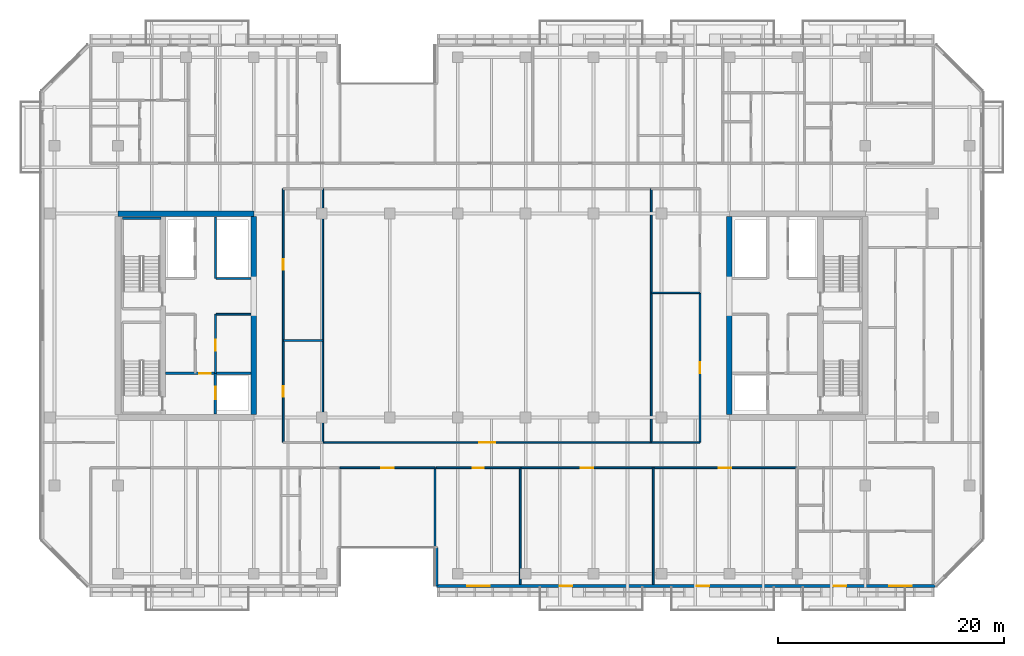
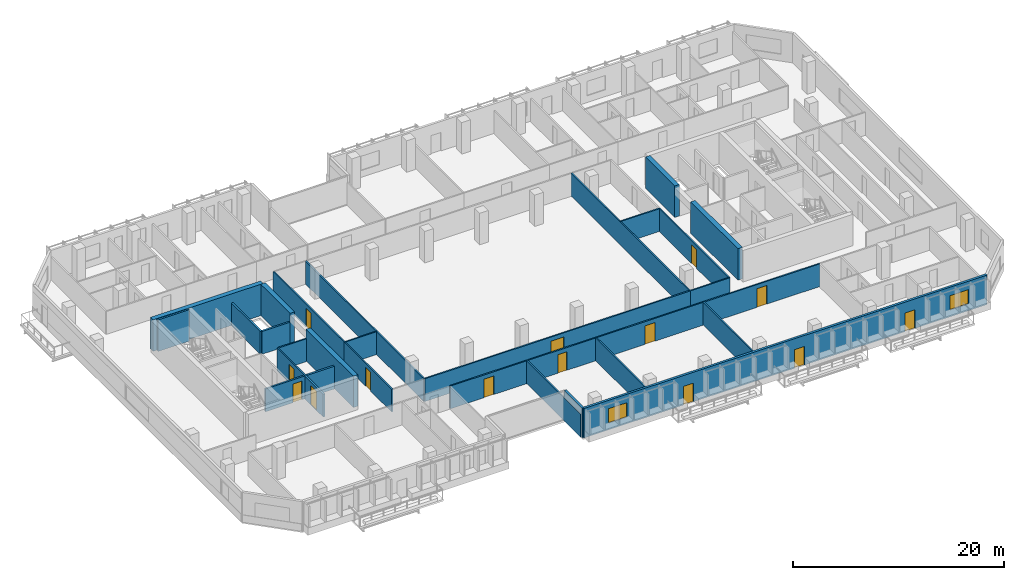
# One storey, part 11 of 22: 30 walls, 14 doors, 2 windows, 16 openings.
"""IFC4 building model written with IfcOpenShell, lengths in metres."""

import ifcopenshell
import ifcopenshell.guid

model = None  # the IFC model being written
_history = None  # IfcOwnerHistory: only IFC2X3 demands one
_inside = {}  # id of a spatial element -> (the spatial element, [elements in it])
_under = {}  # id of a project, library or spatial element -> (it, [spatial elements below it])
_declared = {}  # id of a project -> (the project, [libraries it declares])
_typed = {}  # id of a type object -> (the type object, [elements of that type])
_made_of = {}  # id of a material, layer set ... -> (it, [elements and type objects made of it])


def new_model(schema):
    """Start an empty IFC model of exactly this schema.

    Asked for "IFC4X3", IfcOpenShell would pick the latest addendum, in which some entities
    have other attributes; the version numbers below select the first issue.
    IFC2X3 requires an IfcOwnerHistory on every rooted entity: one is made here for all.
    """
    global model, _history
    if schema == "IFC4X3":
        model = ifcopenshell.file(schema_version=(4, 3, 0, 0))
    else:
        model = ifcopenshell.file(schema=schema)
    _inside.clear()
    _under.clear()
    _declared.clear()
    _typed.clear()
    _made_of.clear()
    _history = None
    if model.schema == "IFC2X3":
        org = make("IfcOrganization", Name="unknown")
        user = make(
            "IfcPersonAndOrganization",
            ThePerson=make("IfcPerson", FamilyName="unknown"),
            TheOrganization=org,
        )
        app = make(
            "IfcApplication",
            ApplicationDeveloper=org,
            Version="unknown",
            ApplicationFullName="unknown",
            ApplicationIdentifier="unknown",
        )
        _history = make(
            "IfcOwnerHistory",
            OwningUser=user,
            OwningApplication=app,
            ChangeAction="ADDED",
            CreationDate=0,
        )
    return model


def make(cls, **values):
    """One entity of the class cls with the attributes given. An attribute that is None is left unset."""
    return model.create_entity(
        cls, **{name: value for name, value in values.items() if value is not None}
    )


def rooted(cls, **values):
    """An entity with a GlobalId (a new one), such as an element, a storey or a relation."""
    return make(cls, GlobalId=ifcopenshell.guid.new(), OwnerHistory=_history, **values)


def si_unit(unit_type, name, prefix=None):
    """IfcSIUnit, for example si_unit("LENGTHUNIT", "METRE", prefix="MILLI")."""
    return make("IfcSIUnit", UnitType=unit_type, Prefix=prefix, Name=name)


def assignment(units):
    """IfcUnitAssignment: the units of a project."""
    return None if units is None else make("IfcUnitAssignment", Units=units)


def point(xyz):
    """IfcCartesianPoint."""
    return None if xyz is None else make("IfcCartesianPoint", Coordinates=xyz)


def direction(xyz):
    """IfcDirection."""
    return None if xyz is None else make("IfcDirection", DirectionRatios=xyz)


def frame(location, z_axis=None, x_axis=None):
    """IfcAxis2Placement3D, a coordinate frame: its origin and axes. An axis left out is left unset."""
    return make(
        "IfcAxis2Placement3D",
        Location=point(location),
        Axis=direction(z_axis),
        RefDirection=direction(x_axis),
    )


def frame_2d(location, x_axis=None):
    """IfcAxis2Placement2D, a coordinate frame in the plane: its origin and x axis."""
    return make(
        "IfcAxis2Placement2D", Location=point(location), RefDirection=direction(x_axis)
    )


def origin():
    """The frame at (0, 0, 0) with its axes left unset."""
    return frame((0.0, 0.0, 0.0))


def place(relative_to, where):
    """IfcLocalPlacement: puts the frame where relative to a parent placement (None: the world)."""
    return make(
        "IfcLocalPlacement", PlacementRelTo=relative_to, RelativePlacement=where
    )


def context(
    kind, dimensions, precision=None, world=None, true_north=None, identifier=None
):
    """IfcGeometricRepresentationContext, for example the 3D "Model" context."""
    return make(
        "IfcGeometricRepresentationContext",
        ContextIdentifier=identifier,
        ContextType=kind,
        CoordinateSpaceDimension=dimensions,
        Precision=precision,
        WorldCoordinateSystem=world,
        TrueNorth=true_north,
    )


def subcontext(parent, identifier, kind, view, scale=None):
    """IfcGeometricRepresentationSubContext, for example "Body" below "Model"."""
    return make(
        "IfcGeometricRepresentationSubContext",
        ContextIdentifier=identifier,
        ContextType=kind,
        ParentContext=parent,
        TargetScale=scale,
        TargetView=view,
    )


def project(units=None, contexts=None):
    """IfcProject with its units and contexts."""
    return rooted(
        "IfcProject",
        Name="project",
        RepresentationContexts=contexts,
        UnitsInContext=assignment(units),
    )


def spatial(cls, under=None, at=None, **own):
    """A site, building, storey or space (cls), placed at a placement, below another one or the project."""
    s = rooted(cls, ObjectPlacement=at, **own)
    if under is not None:
        _under.setdefault(under.id(), (under, []))[1].append(s)
    return s


def profile(cls, at=None, kind="AREA", **sizes):
    """A parametric profile (cls). Its sizes go by their IFC names, for example OverallWidth=200.0."""
    return make(cls, ProfileType=kind, Position=at, **sizes)


def rectangle(**sizes):
    """IfcRectangleProfileDef."""
    return profile("IfcRectangleProfileDef", **sizes)


def extrude(swept, where, along, depth):
    """IfcExtrudedAreaSolid: the profile swept, set in the frame where, extruded along a direction by depth."""
    return make(
        "IfcExtrudedAreaSolid",
        SweptArea=swept,
        Position=where,
        ExtrudedDirection=direction(along),
        Depth=depth,
    )


def shape(context_of_items, identifier, shape_type, items):
    """IfcShapeRepresentation: the items that make up one representation, for example the "Body"."""
    return make(
        "IfcShapeRepresentation",
        ContextOfItems=context_of_items,
        RepresentationIdentifier=identifier,
        RepresentationType=shape_type,
        Items=items,
    )


def material(Name=None, Category=None):
    """IfcMaterial."""
    return make("IfcMaterial", Name=Name, Category=Category)


def layer(
    of_material, thickness, ventilated=None, Name=None, Category=None, Priority=None
):
    """IfcMaterialLayer: one layer of a wall or slab, of a material (None: an air gap)."""
    return make(
        "IfcMaterialLayer",
        Material=of_material,
        LayerThickness=thickness,
        IsVentilated=ventilated,
        Name=Name,
        Category=Category,
        Priority=Priority,
    )


def layer_set(layers, Name=None):
    """IfcMaterialLayerSet."""
    return make("IfcMaterialLayerSet", MaterialLayers=layers, LayerSetName=Name)


def made_of(thing, what):
    """Note that an element or type object is made of a material, layer set ...; save() writes the relation."""
    if what is not None:
        _made_of.setdefault(what.id(), (what, []))[1].append(thing)
    return thing


def type_object(cls, material=None, **own):
    """A type object (cls), such as IfcWallType, which elements share."""
    return made_of(rooted(cls, **own), material)


def element(
    cls,
    number,
    at=None,
    inside=None,
    cuts=None,
    type_object=None,
    material=None,
    context=None,
    identifier="Body",
    shape_type=None,
    held_by="IfcProductDefinitionShape",
    body=None,
    shapes=None,
    **own,
):
    """One element of the class cls, such as IfcWall. Its Tag is "e" and its number.

    at: its placement. inside: the storey or other place that contains it. cuts: it is an
    opening in that element (IfcRelVoidsElement). A single representation is given by context,
    identifier, shape_type and body (its items); several are given by shapes. held_by: the class
    of the entity that holds the representations. save() writes the other relations.
    """
    e = rooted(cls, Tag="e%d" % number, ObjectPlacement=at, **own)
    if body is not None:
        shapes = [shape(context, identifier, shape_type, body)]
    if shapes is not None:
        e.Representation = make(held_by, Representations=shapes)
    if inside is not None:
        _inside.setdefault(inside.id(), (inside, []))[1].append(e)
    if cuts is not None:
        rooted(
            "IfcRelVoidsElement", RelatingBuildingElement=cuts, RelatedOpeningElement=e
        )
    if type_object is not None:
        _typed.setdefault(type_object.id(), (type_object, []))[1].append(e)
    return made_of(e, material)


def fill(opening, filler):
    """IfcRelFillsElement: the door or window that sits in an opening."""
    return rooted(
        "IfcRelFillsElement",
        RelatingOpeningElement=opening,
        RelatedBuildingElement=filler,
    )


def aggregate(whole, parts):
    """IfcRelAggregates: a whole, such as a stair, and the parts it consists of."""
    return rooted("IfcRelAggregates", RelatingObject=whole, RelatedObjects=parts)


def save(model, path):
    """Write the relations noted so far, then the file.

    IfcRelAggregates (storeys below a building ...), IfcRelContainedInSpatialStructure (elements
    in a storey), IfcRelDefinesByType, IfcRelAssociatesMaterial and IfcRelDeclares: one each for
    every whole, place, type object, material and project.
    """
    for whole, parts in _under.values():
        aggregate(whole, parts)
    for where, things in _inside.values():
        rooted(
            "IfcRelContainedInSpatialStructure",
            RelatedElements=things,
            RelatingStructure=where,
        )
    for kind, things in _typed.values():
        rooted("IfcRelDefinesByType", RelatedObjects=things, RelatingType=kind)
    for what, things in _made_of.values():
        rooted("IfcRelAssociatesMaterial", RelatedObjects=things, RelatingMaterial=what)
    for by, libraries in _declared.values():
        rooted("IfcRelDeclares", RelatingContext=by, RelatedDefinitions=libraries)
    model.write(path)


model = new_model("IFC4")

# Units and contexts
model_context = context("Model", 3, precision=1e-05, world=origin(), true_north=direction((0.0, 1.0)))
body_context = subcontext(model_context, "Body", "Model", "MODEL_VIEW")
ifc_project = project(units=[si_unit("LENGTHUNIT", "METRE"), si_unit("AREAUNIT", "SQUARE_METRE"), si_unit("VOLUMEUNIT", "CUBIC_METRE"), si_unit("PLANEANGLEUNIT", "RADIAN"), si_unit("MASSUNIT", "GRAM", prefix="KILO")], contexts=[model_context])

# Site, building, storey
site_placement = place(None, origin())
site = spatial("IfcSite", under=ifc_project, at=site_placement, CompositionType="ELEMENT")
building_placement = place(site_placement, origin())
building = spatial("IfcBuilding", under=site, at=building_placement, Name="Tanjung Sevakor Pilgrim Tower", CompositionType="ELEMENT")
storey_placement = place(building_placement, frame((0.0, 0.0, 115.830078125)))
storey = spatial("IfcBuildingStorey", under=building, at=storey_placement, Name="L32", CompositionType="ELEMENT", Elevation=115.830078125)

# Walls
ifc_material_1 = material(Name="Concrete C60/75", Category="concrete")
ifc_layer_1 = layer(ifc_material_1, 0.5)
ifc_layer_set_1 = layer_set([ifc_layer_1], Name="WALL-CW-500")
wall_type_1 = type_object("IfcWallType", Name="WALL-CW-500", PredefinedType="SHEAR", material=ifc_layer_set_1)
wall_1_placement = place(storey_placement, frame((36.0, 42.60009765625, 0.0), z_axis=(0.0, 0.0, 1.0), x_axis=(-1.0, 0.0, 0.0)))
element("IfcWall", 1, at=wall_1_placement, inside=storey, type_object=wall_type_1, Name="L32 W Core North Shear Wall", PredefinedType="SHEAR", context=body_context, shape_type="SweptSolid", body=[
    extrude(rectangle(XDim=12.0, YDim=0.5, at=frame_2d((6.0, 0.0))), origin(), (0.0, 0.0, 1.0), 3.6298828125),
])
wall_2_placement = place(storey_placement, frame((36.0, 24.85009765625, 0.0), z_axis=(0.0, 0.0, 1.0), x_axis=(0.0, 1.0, 0.0)))
element("IfcWall", 2, at=wall_2_placement, inside=storey, type_object=wall_type_1, Name="L32 W Core Inner Shear Wall South", PredefinedType="SHEAR", context=body_context, shape_type="SweptSolid", body=[
    extrude(rectangle(XDim=8.949951171875, YDim=0.5, at=frame_2d((4.47509765625, 0.0))), origin(), (0.0, 0.0, 1.0), 3.6298828125),
])
wall_3_placement = place(storey_placement, frame((36.0, 36.800048828125, 0.0), z_axis=(0.0, 0.0, 1.0), x_axis=(0.0, 1.0, 0.0)))
element("IfcWall", 3, at=wall_3_placement, inside=storey, type_object=wall_type_1, Name="L32 W Core Inner Shear Wall North", PredefinedType="SHEAR", context=body_context, shape_type="SweptSolid", body=[
    extrude(rectangle(XDim=5.550048828125, YDim=0.5, at=frame_2d((2.77490234375, 0.0))), origin(), (0.0, 0.0, 1.0), 3.6298828125),
])
wall_4_placement = place(storey_placement, frame((78.0, 24.85009765625, 0.0), z_axis=(0.0, 0.0, 1.0), x_axis=(0.0, 1.0, 0.0)))
element("IfcWall", 4, at=wall_4_placement, inside=storey, type_object=wall_type_1, Name="L32 E Core Inner Shear Wall South", PredefinedType="SHEAR", context=body_context, shape_type="SweptSolid", body=[
    extrude(rectangle(XDim=8.949951171875, YDim=0.5, at=frame_2d((4.47509765625, 0.0))), origin(), (0.0, 0.0, 1.0), 3.6298828125),
])
wall_5_placement = place(storey_placement, frame((78.0, 36.800048828125, 0.0), z_axis=(0.0, 0.0, 1.0), x_axis=(0.0, 1.0, 0.0)))
element("IfcWall", 5, at=wall_5_placement, inside=storey, type_object=wall_type_1, Name="L32 E Core Inner Shear Wall North", PredefinedType="SHEAR", context=body_context, shape_type="SweptSolid", body=[
    extrude(rectangle(XDim=5.550048828125, YDim=0.5, at=frame_2d((2.77490234375, 0.0))), origin(), (0.0, 0.0, 1.0), 3.6298828125),
])
ifc_material_2 = material(Name="Concrete C40/50", Category="concrete")
ifc_layer_2 = layer(ifc_material_2, 0.14990234375)
ifc_layer_set_2 = layer_set([ifc_layer_2], Name="WT-COMP-150")
wall_type_2 = type_object("IfcWallType", Name="WT-COMP-150", PredefinedType="SOLIDWALL", material=ifc_layer_set_2)
wall_6_placement = place(storey_placement, frame((32.679931640625, 33.719970703125, 0.0), z_axis=(0.0, 0.0, 1.0), x_axis=(1.0, 0.0, 0.0)))
element("IfcWall", 6, at=wall_6_placement, inside=storey, type_object=wall_type_2, Name="L32 Partition IW-L32-005", PredefinedType="SOLIDWALL", context=body_context, shape_type="SweptSolid", body=[
    extrude(rectangle(XDim=3.050048828125, YDim=0.14990234375, at=frame_2d((1.52490234375, 0.0))), origin(), (0.0, 0.0, 1.0), 2.6298828125),
])

# Wall, opening, door
wall_7_placement = place(storey_placement, frame((32.6201171875, 28.5, 0.0), z_axis=(0.0, 0.0, 1.0), x_axis=(0.0, 1.0, 0.0)))
wall_7 = element("IfcWall", 7, at=wall_7_placement, inside=storey, type_object=wall_type_2, Name="L32 Partition IW-L32-006", PredefinedType="SOLIDWALL", context=body_context, shape_type="SweptSolid", body=[
    extrude(rectangle(XDim=5.219970703125, YDim=0.14990234375, at=frame_2d((2.60986328125, 0.0))), origin(), (0.0, 0.0, 1.0), 2.6298828125),
])
opening_1_placement = place(wall_7_placement, frame((2.0, 0.0, 0.0)))
opening_1 = element("IfcOpeningElement", 8, at=opening_1_placement, cuts=wall_7, Name="Opening ID-FD2", PredefinedType="OPENING", context=body_context, shape_type="SweptSolid", body=[
    extrude(rectangle(XDim=0.949951171875, YDim=2.14990234375, at=frame_2d((0.47509765625, 1.074951171875))), frame((0.0, 0.0849609375, 0.0), z_axis=(0.0, -1.0, 0.0), x_axis=(1.0, 0.0, 0.0)), (0.0, 0.0, 1.0), 0.169921875),
])
ifc_material_3 = material(Name="Fire-Rated Timber", Category="wood")
door_type_1 = type_object("IfcDoorType", Name="DT-FIRE-950", OperationType="NOTDEFINED", PredefinedType="DOOR", material=ifc_material_3)
door_1_placement = place(opening_1_placement, origin())
door_1 = element("IfcDoor", 9, at=door_1_placement, inside=storey, type_object=door_type_1, Name="L32 Accessible WC Door", OperationType="SINGLE_SWING_LEFT", OverallHeight=2.14990234375, OverallWidth=0.949951171875, PredefinedType="DOOR", context=body_context, shape_type="SweptSolid", body=[
    extrude(rectangle(XDim=0.949951171875, YDim=2.14990234375, at=frame_2d((0.47509765625, 1.074951171875))), frame((0.0, 0.02490234375, 0.0), z_axis=(0.0, -1.0, 0.0), x_axis=(1.0, 0.0, 0.0)), (0.0, 0.0, 1.0), 0.050048828125),
])
fill(opening_1, door_1)

# Wall
wall_8_placement = place(storey_placement, frame((38.60009765625, 31.39990234375, 0.0), z_axis=(0.0, 0.0, 1.0), x_axis=(1.0, 0.0, 0.0)))
element("IfcWall", 10, at=wall_8_placement, inside=storey, type_object=wall_type_2, Name="L32 Partition IW-L32-022", PredefinedType="SOLIDWALL", context=body_context, shape_type="SweptSolid", body=[
    extrude(rectangle(XDim=3.5, YDim=0.14990234375, at=frame_2d((1.75, 0.0))), origin(), (0.0, 0.0, 1.0), 2.6298828125),
])

# Wall, opening, door
wall_9_placement = place(storey_placement, frame((38.60009765625, 22.39990234375, 0.0), z_axis=(0.0, 0.0, 1.0), x_axis=(0.0, 1.0, 0.0)))
wall_9 = element("IfcWall", 11, at=wall_9_placement, inside=storey, type_object=wall_type_2, Name="L32 Partition IW-L32-023", PredefinedType="SOLIDWALL", context=body_context, shape_type="SweptSolid", body=[
    extrude(rectangle(XDim=9.0, YDim=0.14990234375, at=frame_2d((4.5, 0.0))), origin(), (0.0, 0.0, 1.0), 2.6298828125),
])
opening_2_placement = place(wall_9_placement, frame((4.02490234375, 0.0, 0.0)))
opening_2 = element("IfcOpeningElement", 12, at=opening_2_placement, cuts=wall_9, Name="Opening ID-RM1", PredefinedType="OPENING", context=body_context, shape_type="SweptSolid", body=[
    extrude(rectangle(XDim=0.949951171875, YDim=2.14990234375, at=frame_2d((0.47509765625, 1.074951171875))), frame((0.0, 0.0849609375, 0.0), z_axis=(0.0, -1.0, 0.0), x_axis=(1.0, 0.0, 0.0)), (0.0, 0.0, 1.0), 0.169921875),
])
ifc_material_4 = material(Name="Hardwood Timber", Category="wood")
door_type_2 = type_object("IfcDoorType", Name="DT-INT-950", OperationType="NOTDEFINED", PredefinedType="DOOR", material=ifc_material_4)
door_2_placement = place(opening_2_placement, origin())
door_2 = element("IfcDoor", 13, at=door_2_placement, inside=storey, type_object=door_type_2, Name="L32 Male Ablution Door", OperationType="SINGLE_SWING_RIGHT", OverallHeight=2.14990234375, OverallWidth=0.949951171875, PredefinedType="DOOR", context=body_context, shape_type="SweptSolid", body=[
    extrude(rectangle(XDim=0.949951171875, YDim=2.14990234375, at=frame_2d((0.47509765625, 1.074951171875))), frame((0.0, 0.02490234375, 0.0), z_axis=(0.0, -1.0, 0.0), x_axis=(1.0, 0.0, 0.0)), (0.0, 0.0, 1.0), 0.050048828125),
])
fill(opening_2, door_2)

wall_10_placement = place(storey_placement, frame((38.60009765625, 31.39990234375, 0.0), z_axis=(0.0, 0.0, 1.0), x_axis=(0.0, 1.0, 0.0)))
wall_10 = element("IfcWall", 14, at=wall_10_placement, inside=storey, type_object=wall_type_2, Name="L32 Partition IW-L32-025", PredefinedType="SOLIDWALL", context=body_context, shape_type="SweptSolid", body=[
    extrude(rectangle(XDim=13.400146484375, YDim=0.14990234375, at=frame_2d((6.7001953125, 0.0))), origin(), (0.0, 0.0, 1.0), 2.6298828125),
])
opening_3_placement = place(wall_10_placement, frame((6.22509765625, 0.0, 0.0)))
opening_3 = element("IfcOpeningElement", 15, at=opening_3_placement, cuts=wall_10, Name="Opening ID-RM1", PredefinedType="OPENING", context=body_context, shape_type="SweptSolid", body=[
    extrude(rectangle(XDim=0.949951171875, YDim=2.14990234375, at=frame_2d((0.47509765625, 1.074951171875))), frame((0.0, 0.0849609375, 0.0), z_axis=(0.0, -1.0, 0.0), x_axis=(1.0, 0.0, 0.0)), (0.0, 0.0, 1.0), 0.169921875),
])
door_3_placement = place(opening_3_placement, origin())
door_3 = element("IfcDoor", 16, at=door_3_placement, inside=storey, type_object=door_type_2, Name="L32 Male Washroom Door", OperationType="SINGLE_SWING_LEFT", OverallHeight=2.14990234375, OverallWidth=0.949951171875, PredefinedType="DOOR", context=body_context, shape_type="SweptSolid", body=[
    extrude(rectangle(XDim=0.949951171875, YDim=2.14990234375, at=frame_2d((0.47509765625, 1.074951171875))), frame((0.0, 0.02490234375, 0.0), z_axis=(0.0, -1.0, 0.0), x_axis=(1.0, 0.0, 0.0)), (0.0, 0.0, 1.0), 0.050048828125),
])
fill(opening_3, door_3)

wall_11_placement = place(storey_placement, frame((42.10009765625, 22.39990234375, 0.0), z_axis=(0.0, 0.0, 1.0), x_axis=(1.0, 0.0, 0.0)))
wall_11 = element("IfcWall", 17, at=wall_11_placement, inside=storey, type_object=wall_type_2, Name="L32 Partition IW-L32-026", PredefinedType="SOLIDWALL", context=body_context, shape_type="SweptSolid", body=[
    extrude(rectangle(XDim=29.0, YDim=0.14990234375, at=frame_2d((14.5, 0.0))), origin(), (0.0, 0.0, 1.0), 2.6298828125),
])
opening_4_placement = place(wall_11_placement, frame((13.800048828125, 0.0, 0.0)))
opening_4 = element("IfcOpeningElement", 18, at=opening_4_placement, cuts=wall_11, Name="Opening ID-HD1", PredefinedType="OPENING", context=body_context, shape_type="SweptSolid", body=[
    extrude(rectangle(XDim=1.39990234375, YDim=2.14990234375, at=frame_2d((0.699951171875, 1.074951171875))), frame((0.0, 0.0849609375, 0.0), z_axis=(0.0, -1.0, 0.0), x_axis=(1.0, 0.0, 0.0)), (0.0, 0.0, 1.0), 0.169921875),
])
ifc_material_5 = material(Name="Hardwood Timber", Category="wood")
door_type_3 = type_object("IfcDoorType", Name="DT-INT-1400", OperationType="DOUBLE_DOOR_SINGLE_SWING", PredefinedType="DOOR", material=ifc_material_5)
door_4_placement = place(opening_4_placement, origin())
door_4 = element("IfcDoor", 19, at=door_4_placement, inside=storey, type_object=door_type_3, Name="L32 Sky-Prayer Sanctuary Door", OperationType="SINGLE_SWING_RIGHT", OverallHeight=2.14990234375, OverallWidth=1.39990234375, PredefinedType="DOOR", context=body_context, shape_type="SweptSolid", body=[
    extrude(rectangle(XDim=1.39990234375, YDim=2.14990234375, at=frame_2d((0.699951171875, 1.074951171875))), frame((0.0, 0.02490234375, 0.0), z_axis=(0.0, -1.0, 0.0), x_axis=(1.0, 0.0, 0.0)), (0.0, 0.0, 1.0), 0.050048828125),
])
fill(opening_4, door_4)

# Walls
for number, where, z_axis, x_axis, name in (
    (20, (42.10009765625, 22.39990234375, 0.0), (0.0, 0.0, 1.0), (0.0, 1.0, 0.0), "L32 Partition IW-L32-028"),
    (21, (71.10009765625, 22.39990234375, 0.0), (0.0, 0.0, 1.0), (0.0, 1.0, 0.0), "L32 Partition IW-L32-029"),
):
    element("IfcWall", number, at=place(storey_placement, frame(where, z_axis=z_axis, x_axis=x_axis)), inside=storey, type_object=wall_type_2, Name=name, PredefinedType="SOLIDWALL", context=body_context, shape_type="SweptSolid", body=[
        extrude(rectangle(XDim=22.400146484375, YDim=0.14990234375, at=frame_2d((11.2001953125, 0.0))), origin(), (0.0, 0.0, 1.0), 2.6298828125),
    ])
for number, where, z_axis, x_axis, name in (
    (22, (71.10009765625, 22.39990234375, 0.0), (0.0, 0.0, 1.0), (1.0, 0.0, 0.0), "L32 Partition IW-L32-030"),
    (23, (71.10009765625, 35.60009765625, 0.0), (0.0, 0.0, 1.0), (1.0, 0.0, 0.0), "L32 Partition IW-L32-031"),
):
    element("IfcWall", number, at=place(storey_placement, frame(where, z_axis=z_axis, x_axis=x_axis)), inside=storey, type_object=wall_type_2, Name=name, PredefinedType="SOLIDWALL", context=body_context, shape_type="SweptSolid", body=[
        extrude(rectangle(XDim=4.2998046875, YDim=0.14990234375, at=frame_2d((2.14990234375, 0.0))), origin(), (0.0, 0.0, 1.0), 2.6298828125),
    ])

# Wall, opening, door
wall_12_placement = place(storey_placement, frame((75.39990234375, 22.39990234375, 0.0), z_axis=(0.0, 0.0, 1.0), x_axis=(0.0, 1.0, 0.0)))
wall_12 = element("IfcWall", 24, at=wall_12_placement, inside=storey, type_object=wall_type_2, Name="L32 Partition IW-L32-032", PredefinedType="SOLIDWALL", context=body_context, shape_type="SweptSolid", body=[
    extrude(rectangle(XDim=13.2001953125, YDim=0.14990234375, at=frame_2d((6.60009765625, 0.0))), origin(), (0.0, 0.0, 1.0), 2.6298828125),
])
opening_5_placement = place(wall_12_placement, frame((6.125, 0.0, 0.0)))
opening_5 = element("IfcOpeningElement", 25, at=opening_5_placement, cuts=wall_12, Name="Opening ID-RM1", PredefinedType="OPENING", context=body_context, shape_type="SweptSolid", body=[
    extrude(rectangle(XDim=0.949951171875, YDim=2.14990234375, at=frame_2d((0.47509765625, 1.074951171875))), frame((0.0, 0.0849609375, 0.0), z_axis=(0.0, -1.0, 0.0), x_axis=(1.0, 0.0, 0.0)), (0.0, 0.0, 1.0), 0.169921875),
])
door_5_placement = place(opening_5_placement, origin())
door_5 = element("IfcDoor", 26, at=door_5_placement, inside=storey, type_object=door_type_2, Name="L32 Female Ablution Door", OperationType="SINGLE_SWING_LEFT", OverallHeight=2.14990234375, OverallWidth=0.949951171875, PredefinedType="DOOR", context=body_context, shape_type="SweptSolid", body=[
    extrude(rectangle(XDim=0.949951171875, YDim=2.14990234375, at=frame_2d((0.47509765625, 1.074951171875))), frame((0.0, 0.02490234375, 0.0), z_axis=(0.0, -1.0, 0.0), x_axis=(1.0, 0.0, 0.0)), (0.0, 0.0, 1.0), 0.050048828125),
])
fill(opening_5, door_5)

wall_13_placement = place(storey_placement, frame((43.60009765625, 20.14990234375, 0.0), z_axis=(0.0, 0.0, 1.0), x_axis=(1.0, 0.0, 0.0)))
wall_13 = element("IfcWall", 27, at=wall_13_placement, inside=storey, type_object=wall_type_2, Name="L32 Partition IW-L32-043", PredefinedType="SOLIDWALL", context=body_context, shape_type="SweptSolid", body=[
    extrude(rectangle(XDim=8.39990234375, YDim=0.14990234375, at=frame_2d((4.199951171875, 0.0))), origin(), (0.0, 0.0, 1.0), 2.6298828125),
])
opening_6_placement = place(wall_13_placement, frame((3.64990234375, 0.0, 0.0)))
opening_6 = element("IfcOpeningElement", 28, at=opening_6_placement, cuts=wall_13, Name="Opening ID-RM2", PredefinedType="OPENING", context=body_context, shape_type="SweptSolid", body=[
    extrude(rectangle(XDim=1.10009765625, YDim=2.14990234375, at=frame_2d((0.550048828125, 1.074951171875))), frame((0.0, 0.0849609375, 0.0), z_axis=(0.0, -1.0, 0.0), x_axis=(1.0, 0.0, 0.0)), (0.0, 0.0, 1.0), 0.169921875),
])
ifc_material_6 = material(Name="Hardwood Timber", Category="wood")
door_type_4 = type_object("IfcDoorType", Name="DT-INT-1100", OperationType="NOTDEFINED", PredefinedType="DOOR", material=ifc_material_6)
door_6_placement = place(opening_6_placement, origin())
door_6 = element("IfcDoor", 29, at=door_6_placement, inside=storey, type_object=door_type_4, Name="L32 South Cleft Tea Sanctuary Door", OperationType="SINGLE_SWING_LEFT", OverallHeight=2.14990234375, OverallWidth=1.10009765625, PredefinedType="DOOR", context=body_context, shape_type="SweptSolid", body=[
    extrude(rectangle(XDim=1.10009765625, YDim=2.14990234375, at=frame_2d((0.550048828125, 1.074951171875))), frame((0.0, 0.02490234375, 0.0), z_axis=(0.0, -1.0, 0.0), x_axis=(1.0, 0.0, 0.0)), (0.0, 0.0, 1.0), 0.050048828125),
])
fill(opening_6, door_6)

# Walls
for number, where, z_axis, x_axis, name in (
    (30, (52.0, 9.85009765625, 0.0), (0.0, 0.0, 1.0), (0.0, 1.0, 0.0), "L32 Partition IW-L32-045"),
    (31, (59.536376953125, 9.85009765625, 0.0), (0.0, 0.0, 1.0), (0.0, 1.0, 0.0), "L32 Partition IW-L32-058"),
):
    element("IfcWall", number, at=place(storey_placement, frame(where, z_axis=z_axis, x_axis=x_axis)), inside=storey, type_object=wall_type_2, Name=name, PredefinedType="SOLIDWALL", context=body_context, shape_type="SweptSolid", body=[
        extrude(rectangle(XDim=10.2998046875, YDim=0.14990234375, at=frame_2d((5.14990234375, 0.0))), origin(), (0.0, 0.0, 1.0), 2.6298828125),
    ])

# Wall, opening, door
wall_14_placement = place(storey_placement, frame((52.1201171875, 20.14990234375, 0.0), z_axis=(0.0, 0.0, 1.0), x_axis=(1.0, 0.0, 0.0)))
wall_14 = element("IfcWall", 32, at=wall_14_placement, inside=storey, type_object=wall_type_2, Name="L32 Partition IW-L32-059", PredefinedType="SOLIDWALL", context=body_context, shape_type="SweptSolid", body=[
    extrude(rectangle(XDim=7.416259765625, YDim=0.14990234375, at=frame_2d((3.7080078125, 0.0))), origin(), (0.0, 0.0, 1.0), 2.6298828125),
])
opening_7_placement = place(wall_14_placement, frame((3.233154296875, 0.0, 0.0)))
opening_7 = element("IfcOpeningElement", 33, at=opening_7_placement, cuts=wall_14, Name="Opening ID-FD2", PredefinedType="OPENING", context=body_context, shape_type="SweptSolid", body=[
    extrude(rectangle(XDim=0.949951171875, YDim=2.14990234375, at=frame_2d((0.47509765625, 1.074951171875))), frame((0.0, 0.0849609375, 0.0), z_axis=(0.0, -1.0, 0.0), x_axis=(1.0, 0.0, 0.0)), (0.0, 0.0, 1.0), 0.169921875),
])
door_7_placement = place(opening_7_placement, origin())
door_7 = element("IfcDoor", 34, at=door_7_placement, inside=storey, type_object=door_type_1, Name="Housekeeping Pantry Door", OperationType="SINGLE_SWING_RIGHT", OverallHeight=2.14990234375, OverallWidth=0.949951171875, PredefinedType="DOOR", context=body_context, shape_type="SweptSolid", body=[
    extrude(rectangle(XDim=0.949951171875, YDim=2.14990234375, at=frame_2d((0.47509765625, 1.074951171875))), frame((0.0, 0.02490234375, 0.0), z_axis=(0.0, -1.0, 0.0), x_axis=(1.0, 0.0, 0.0)), (0.0, 0.0, 1.0), 0.050048828125),
])
fill(opening_7, door_7)

# Wall
wall_15_placement = place(storey_placement, frame((71.27880859375, 9.85009765625, 0.0), z_axis=(0.0, 0.0, 1.0), x_axis=(0.0, 1.0, 0.0)))
element("IfcWall", 35, at=wall_15_placement, inside=storey, type_object=wall_type_2, Name="L32 Partition IW-L32-060", PredefinedType="SOLIDWALL", context=body_context, shape_type="SweptSolid", body=[
    extrude(rectangle(XDim=10.2998046875, YDim=0.14990234375, at=frame_2d((5.14990234375, 0.0))), origin(), (0.0, 0.0, 1.0), 2.6298828125),
])

# Wall, opening, door
wall_16_placement = place(storey_placement, frame((59.536376953125, 20.14990234375, 0.0), z_axis=(0.0, 0.0, 1.0), x_axis=(1.0, 0.0, 0.0)))
wall_16 = element("IfcWall", 36, at=wall_16_placement, inside=storey, type_object=wall_type_2, Name="L32 Partition IW-L32-061", PredefinedType="SOLIDWALL", context=body_context, shape_type="SweptSolid", body=[
    extrude(rectangle(XDim=11.742431640625, YDim=0.14990234375, at=frame_2d((5.87109375, 0.0))), origin(), (0.0, 0.0, 1.0), 2.6298828125),
])
opening_8_placement = place(wall_16_placement, frame((5.3212890625, 0.0, 0.0)))
opening_8 = element("IfcOpeningElement", 37, at=opening_8_placement, cuts=wall_16, Name="Opening ID-FD0", PredefinedType="OPENING", context=body_context, shape_type="SweptSolid", body=[
    extrude(rectangle(XDim=1.10009765625, YDim=2.14990234375, at=frame_2d((0.550048828125, 1.074951171875))), frame((0.0, 0.0849609375, 0.0), z_axis=(0.0, -1.0, 0.0), x_axis=(1.0, 0.0, 0.0)), (0.0, 0.0, 1.0), 0.169921875),
])
ifc_material_7 = material(Name="Fire-Rated Steel S355J2", Category="steel")
door_type_5 = type_object("IfcDoorType", Name="DT-FIRE-1100", OperationType="NOTDEFINED", PredefinedType="DOOR", material=ifc_material_7)
door_8_placement = place(opening_8_placement, origin())
door_8 = element("IfcDoor", 38, at=door_8_placement, inside=storey, type_object=door_type_5, Name="Seminar Room Door", OperationType="SINGLE_SWING_LEFT", OverallHeight=2.14990234375, OverallWidth=1.10009765625, PredefinedType="DOOR", context=body_context, shape_type="SweptSolid", body=[
    extrude(rectangle(XDim=1.10009765625, YDim=2.14990234375, at=frame_2d((0.550048828125, 1.074951171875))), frame((0.0, 0.02490234375, 0.0), z_axis=(0.0, -1.0, 0.0), x_axis=(1.0, 0.0, 0.0)), (0.0, 0.0, 1.0), 0.050048828125),
])
fill(opening_8, door_8)

wall_17_placement = place(storey_placement, frame((71.27880859375, 20.14990234375, 0.0), z_axis=(0.0, 0.0, 1.0), x_axis=(1.0, 0.0, 0.0)))
wall_17 = element("IfcWall", 39, at=wall_17_placement, inside=storey, type_object=wall_type_2, Name="L32 Partition IW-L32-063", PredefinedType="SOLIDWALL", context=body_context, shape_type="SweptSolid", body=[
    extrude(rectangle(XDim=12.669677734375, YDim=0.14990234375, at=frame_2d((6.3349609375, 0.0))), origin(), (0.0, 0.0, 1.0), 2.6298828125),
])
opening_9_placement = place(wall_17_placement, frame((5.784912109375, 0.0, 0.0)))
opening_9 = element("IfcOpeningElement", 40, at=opening_9_placement, cuts=wall_17, Name="Opening ID-FD0", PredefinedType="OPENING", context=body_context, shape_type="SweptSolid", body=[
    extrude(rectangle(XDim=1.10009765625, YDim=2.14990234375, at=frame_2d((0.550048828125, 1.074951171875))), frame((0.0, 0.0849609375, 0.0), z_axis=(0.0, -1.0, 0.0), x_axis=(1.0, 0.0, 0.0)), (0.0, 0.0, 1.0), 0.169921875),
])
door_9_placement = place(opening_9_placement, origin())
door_9 = element("IfcDoor", 41, at=door_9_placement, inside=storey, type_object=door_type_5, Name="Observatory Door", OperationType="SINGLE_SWING_RIGHT", OverallHeight=2.14990234375, OverallWidth=1.10009765625, PredefinedType="DOOR", context=body_context, shape_type="SweptSolid", body=[
    extrude(rectangle(XDim=1.10009765625, YDim=2.14990234375, at=frame_2d((0.550048828125, 1.074951171875))), frame((0.0, 0.02490234375, 0.0), z_axis=(0.0, -1.0, 0.0), x_axis=(1.0, 0.0, 0.0)), (0.0, 0.0, 1.0), 0.050048828125),
])
fill(opening_9, door_9)

# Wall
ifc_material_8 = material(Name="Precast concrete C45/55", Category="concrete")
ifc_layer_3 = layer(ifc_material_8, 0.25)
ifc_layer_set_3 = layer_set([ifc_layer_3], Name="WT-EW-STN3")
wall_type_3 = type_object("IfcWallType", Name="WT-EW-STN3", PredefinedType="SOLIDWALL", material=ifc_layer_set_3)
wall_18_placement = place(storey_placement, frame((52.125, 13.125, 0.0), z_axis=(0.0, 0.0, 1.0), x_axis=(0.0, -1.0, 0.0)))
element("IfcWall", 42, at=wall_18_placement, inside=storey, type_object=wall_type_3, Name="L32 MAIN Exterior Wall 4", PredefinedType="SOLIDWALL", context=body_context, shape_type="SweptSolid", body=[
    extrude(rectangle(XDim=3.39990234375, YDim=0.25, at=frame_2d((1.699951171875, 0.0))), origin(), (0.0, 0.0, 1.0), 3.409912109375),
])

# Wall, openings, doors, windows
wall_19_placement = place(storey_placement, frame((52.125, 9.72509765625, 0.0), z_axis=(0.0, 0.0, 1.0), x_axis=(1.0, 0.0, 0.0)))
wall_19 = element("IfcWall", 43, at=wall_19_placement, inside=storey, type_object=wall_type_3, Name="L32 MAIN Exterior Wall 5", PredefinedType="SOLIDWALL", context=body_context, shape_type="SweptSolid", body=[
    extrude(rectangle(XDim=44.023193359375, YDim=0.25, at=frame_2d((22.01171875, 0.0))), origin(), (0.0, 0.0, 1.0), 3.409912109375),
])
opening_10_placement = place(wall_19_placement, frame((10.875, 0.0, 0.0)))
opening_10 = element("IfcOpeningElement", 44, at=opening_10_placement, cuts=wall_19, Name="Opening ED-BAL-1100", PredefinedType="OPENING", context=body_context, shape_type="SweptSolid", body=[
    extrude(rectangle(XDim=1.10009765625, YDim=2.14990234375, at=frame_2d((0.550048828125, 1.074951171875))), frame((0.0, 0.135009765625, 0.0), z_axis=(0.0, -1.0, 0.0), x_axis=(1.0, 0.0, 0.0)), (0.0, 0.0, 1.0), 0.27001953125),
])
opening_11_placement = place(wall_19_placement, frame((22.97509765625, 0.0, 0.0)))
opening_11 = element("IfcOpeningElement", 45, at=opening_11_placement, cuts=wall_19, Name="Opening ED-BAL-1100", PredefinedType="OPENING", context=body_context, shape_type="SweptSolid", body=[
    extrude(rectangle(XDim=1.10009765625, YDim=2.14990234375, at=frame_2d((0.550048828125, 1.074951171875))), frame((0.0, 0.135009765625, 0.0), z_axis=(0.0, -1.0, 0.0), x_axis=(1.0, 0.0, 0.0)), (0.0, 0.0, 1.0), 0.27001953125),
])
opening_12_placement = place(wall_19_placement, frame((35.074951171875, 0.0, 0.0)))
opening_12 = element("IfcOpeningElement", 46, at=opening_12_placement, cuts=wall_19, Name="Opening ED-BAL-1100", PredefinedType="OPENING", context=body_context, shape_type="SweptSolid", body=[
    extrude(rectangle(XDim=1.10009765625, YDim=2.14990234375, at=frame_2d((0.550048828125, 1.074951171875))), frame((0.0, 0.135009765625, 0.0), z_axis=(0.0, -1.0, 0.0), x_axis=(1.0, 0.0, 0.0)), (0.0, 0.0, 1.0), 0.27001953125),
])
opening_13_placement = place(wall_19_placement, frame((2.703125, 0.0, 0.780029296875)))
opening_13 = element("IfcOpeningElement", 47, at=opening_13_placement, cuts=wall_19, Name="Opening WN-Z2-1660", PredefinedType="OPENING", context=body_context, shape_type="SweptSolid", body=[
    extrude(rectangle(XDim=2.0, YDim=1.659912109375, at=frame_2d((1.0, 0.830078125))), frame((0.0, 0.135009765625, 0.0), z_axis=(0.0, -1.0, 0.0), x_axis=(1.0, 0.0, 0.0)), (0.0, 0.0, 1.0), 0.27001953125),
])
opening_14_placement = place(wall_19_placement, frame((39.97265625, 0.0, 0.780029296875)))
opening_14 = element("IfcOpeningElement", 48, at=opening_14_placement, cuts=wall_19, Name="Opening WN-Z2-1660", PredefinedType="OPENING", context=body_context, shape_type="SweptSolid", body=[
    extrude(rectangle(XDim=2.0, YDim=1.659912109375, at=frame_2d((1.0, 0.830078125))), frame((0.0, 0.135009765625, 0.0), z_axis=(0.0, -1.0, 0.0), x_axis=(1.0, 0.0, 0.0)), (0.0, 0.0, 1.0), 0.27001953125),
])
ifc_material_9 = material(Name="Anodised Aluminium and Laminated Glass", Category="aluminium")
door_type_6 = type_object("IfcDoorType", Name="DTYP-ED-BAL-1100", OperationType="NOTDEFINED", PredefinedType="DOOR", material=ifc_material_9)
door_10_placement = place(opening_10_placement, frame((1.10009765625, 0.0, 0.0), z_axis=(0.0, 0.0, 1.0), x_axis=(-1.0, 0.0, 0.0)))
door_10 = element("IfcDoor", 49, at=door_10_placement, inside=storey, type_object=door_type_6, Name="L32 Balcony Door MAIN-S2", OperationType="SINGLE_SWING_LEFT", OverallHeight=2.14990234375, OverallWidth=1.10009765625, PredefinedType="DOOR", context=body_context, shape_type="SweptSolid", body=[
    extrude(rectangle(XDim=1.10009765625, YDim=2.14990234375, at=frame_2d((0.550048828125, 1.074951171875))), frame((0.0, 0.02490234375, 0.0), z_axis=(0.0, -1.0, 0.0), x_axis=(1.0, 0.0, 0.0)), (0.0, 0.0, 1.0), 0.050048828125),
])
fill(opening_10, door_10)
door_11_placement = place(opening_11_placement, frame((1.10009765625, 0.0, 0.0), z_axis=(0.0, 0.0, 1.0), x_axis=(-1.0, 0.0, 0.0)))
door_11 = element("IfcDoor", 50, at=door_11_placement, inside=storey, type_object=door_type_6, Name="L32 Balcony Door MAIN-S3", OperationType="SINGLE_SWING_RIGHT", OverallHeight=2.14990234375, OverallWidth=1.10009765625, PredefinedType="DOOR", context=body_context, shape_type="SweptSolid", body=[
    extrude(rectangle(XDim=1.10009765625, YDim=2.14990234375, at=frame_2d((0.550048828125, 1.074951171875))), frame((0.0, 0.02490234375, 0.0), z_axis=(0.0, -1.0, 0.0), x_axis=(1.0, 0.0, 0.0)), (0.0, 0.0, 1.0), 0.050048828125),
])
fill(opening_11, door_11)
door_12_placement = place(opening_12_placement, frame((1.10009765625, 0.0, 0.0), z_axis=(0.0, 0.0, 1.0), x_axis=(-1.0, 0.0, 0.0)))
door_12 = element("IfcDoor", 51, at=door_12_placement, inside=storey, type_object=door_type_6, Name="L32 Balcony Door MAIN-S4", OperationType="SINGLE_SWING_LEFT", OverallHeight=2.14990234375, OverallWidth=1.10009765625, PredefinedType="DOOR", context=body_context, shape_type="SweptSolid", body=[
    extrude(rectangle(XDim=1.10009765625, YDim=2.14990234375, at=frame_2d((0.550048828125, 1.074951171875))), frame((0.0, 0.02490234375, 0.0), z_axis=(0.0, -1.0, 0.0), x_axis=(1.0, 0.0, 0.0)), (0.0, 0.0, 1.0), 0.050048828125),
])
fill(opening_12, door_12)
ifc_material_10 = material(Name="Thermally Broken Aluminium and Low-E Glass", Category="aluminium")
window_type = type_object("IfcWindowType", Name="WTYP-WN-Z2-1660", PartitioningType="DOUBLE_PANEL_VERTICAL", PredefinedType="WINDOW", material=ifc_material_10)
window_1_placement = place(opening_13_placement, origin())
window_1 = element("IfcWindow", 52, at=window_1_placement, inside=storey, type_object=window_type, Name="L32 Facade Window 01", OverallHeight=1.659912109375, OverallWidth=2.0, PartitioningType="SINGLE_PANEL", PredefinedType="WINDOW", context=body_context, shape_type="SweptSolid", body=[
    extrude(rectangle(XDim=2.0, YDim=1.659912109375, at=frame_2d((1.0, 0.830078125))), frame((0.0, 0.030029296875, 0.0), z_axis=(0.0, -1.0, 0.0), x_axis=(1.0, 0.0, 0.0)), (0.0, 0.0, 1.0), 0.06005859375),
])
fill(opening_13, window_1)
window_2_placement = place(opening_14_placement, origin())
window_2 = element("IfcWindow", 53, at=window_2_placement, inside=storey, type_object=window_type, Name="L32 Facade Window 02", OverallHeight=1.659912109375, OverallWidth=2.0, PartitioningType="SINGLE_PANEL", PredefinedType="WINDOW", context=body_context, shape_type="SweptSolid", body=[
    extrude(rectangle(XDim=2.0, YDim=1.659912109375, at=frame_2d((1.0, 0.830078125))), frame((0.0, 0.030029296875, 0.0), z_axis=(0.0, -1.0, 0.0), x_axis=(1.0, 0.0, 0.0)), (0.0, 0.0, 1.0), 0.06005859375),
])
fill(opening_14, window_2)

# Wall
ifc_material_11 = material(Name="Concrete C40/50", Category="concrete")
ifc_layer_4 = layer(ifc_material_11, 0.199951171875)
ifc_layer_set_4 = layer_set([ifc_layer_4], Name="WT-FIRE-200")
wall_type_4 = type_object("IfcWallType", Name="WT-FIRE-200", PredefinedType="SOLIDWALL", material=ifc_layer_set_4)
wall_20_placement = place(storey_placement, frame((27.800048828125, 42.199951171875, 0.0), z_axis=(0.0, 0.0, 1.0), x_axis=(-1.0, 0.0, 0.0)))
element("IfcWall", 54, at=wall_20_placement, inside=storey, type_object=wall_type_4, Name="L32 TS-W2 Shaft Wall 2", PredefinedType="SOLIDWALL", context=body_context, shape_type="SweptSolid", body=[
    extrude(rectangle(XDim=3.400146484375, YDim=0.199951171875, at=frame_2d((1.7001953125, 0.0))), origin(), (0.0, 0.0, 1.0), 3.6298828125),
])

# Wall, opening, door
ifc_material_12 = material(Name="Concrete C40/50", Category="concrete")
ifc_layer_5 = layer(ifc_material_12, 0.199951171875)
ifc_layer_set_5 = layer_set([ifc_layer_5], Name="WT-FPRT-200")
wall_type_5 = type_object("IfcWallType", Name="WT-FPRT-200", PredefinedType="SOLIDWALL", material=ifc_layer_set_5)
wall_21_placement = place(storey_placement, frame((32.60009765625, 24.919921875, 0.0), z_axis=(0.0, 0.0, 1.0), x_axis=(0.0, 1.0, 0.0)))
wall_21 = element("IfcWall", 55, at=wall_21_placement, inside=storey, type_object=wall_type_5, Name="L32 Partition IW-L32-001", PredefinedType="SOLIDWALL", context=body_context, shape_type="SweptSolid", body=[
    extrude(rectangle(XDim=3.580078125, YDim=0.199951171875, at=frame_2d((1.7900390625, 0.0))), origin(), (0.0, 0.0, 1.0), 2.6298828125),
])
opening_15_placement = place(wall_21_placement, frame((1.300048828125, 0.0, 0.0)))
opening_15 = element("IfcOpeningElement", 56, at=opening_15_placement, cuts=wall_21, Name="Opening LD-1100", PredefinedType="OPENING", context=body_context, shape_type="SweptSolid", body=[
    extrude(rectangle(XDim=1.10009765625, YDim=2.199951171875, at=frame_2d((0.550048828125, 1.10009765625))), frame((0.0, 0.10986328125, 0.0), z_axis=(0.0, -1.0, 0.0), x_axis=(1.0, 0.0, 0.0)), (0.0, 0.0, 1.0), 0.219970703125),
])
ifc_material_13 = material(Name="Brushed Stainless Steel S355J2", Category="steel")
door_type_7 = type_object("IfcDoorType", Name="DT-LIFT-1100", OperationType="SLIDING_TO_LEFT", PredefinedType="DOOR", material=ifc_material_13)
door_13_placement = place(opening_15_placement, origin())
door_13 = element("IfcDoor", 57, at=door_13_placement, inside=storey, type_object=door_type_7, Name="LD-FL-W", OperationType="SLIDING_TO_LEFT", OverallHeight=2.199951171875, OverallWidth=1.10009765625, PredefinedType="DOOR", context=body_context, shape_type="SweptSolid", body=[
    extrude(rectangle(XDim=1.10009765625, YDim=2.199951171875, at=frame_2d((0.550048828125, 1.10009765625))), frame((0.0, 0.02490234375, 0.0), z_axis=(0.0, -1.0, 0.0), x_axis=(1.0, 0.0, 0.0)), (0.0, 0.0, 1.0), 0.050048828125),
])
fill(opening_15, door_13)

wall_22_placement = place(storey_placement, frame((28.219970703125, 28.5, 0.0), z_axis=(0.0, 0.0, 1.0), x_axis=(1.0, 0.0, 0.0)))
wall_22 = element("IfcWall", 58, at=wall_22_placement, inside=storey, type_object=wall_type_5, Name="L32 Partition IW-L32-002", PredefinedType="SOLIDWALL", context=body_context, shape_type="SweptSolid", body=[
    extrude(rectangle(XDim=7.510009765625, YDim=0.199951171875, at=frame_2d((3.7548828125, 0.0))), origin(), (0.0, 0.0, 1.0), 2.6298828125),
])
opening_16_placement = place(wall_22_placement, frame((2.97998046875, 0.0, 0.0)))
opening_16 = element("IfcOpeningElement", 59, at=opening_16_placement, cuts=wall_22, Name="Opening ID-FD1", PredefinedType="OPENING", context=body_context, shape_type="SweptSolid", body=[
    extrude(rectangle(XDim=1.0, YDim=2.14990234375, at=frame_2d((0.5, 1.074951171875))), frame((0.0, 0.10986328125, 0.0), z_axis=(0.0, -1.0, 0.0), x_axis=(1.0, 0.0, 0.0)), (0.0, 0.0, 1.0), 0.219970703125),
])
ifc_material_14 = material(Name="Fire-Rated Steel S355J2", Category="steel")
door_type_8 = type_object("IfcDoorType", Name="DT-FIRE-1000", OperationType="NOTDEFINED", PredefinedType="DOOR", material=ifc_material_14)
door_14_placement = place(opening_16_placement, origin())
door_14 = element("IfcDoor", 60, at=door_14_placement, inside=storey, type_object=door_type_8, Name="Fire Lobby Door W", OperationType="SINGLE_SWING_LEFT", OverallHeight=2.14990234375, OverallWidth=1.0, PredefinedType="DOOR", context=body_context, shape_type="SweptSolid", body=[
    extrude(rectangle(XDim=1.0, YDim=2.14990234375, at=frame_2d((0.5, 1.074951171875))), frame((0.0, 0.02490234375, 0.0), z_axis=(0.0, -1.0, 0.0), x_axis=(1.0, 0.0, 0.0)), (0.0, 0.0, 1.0), 0.050048828125),
])
fill(opening_16, door_14)

# Walls
wall_23_placement = place(storey_placement, frame((32.679931640625, 36.8798828125, 0.0), z_axis=(0.0, 0.0, 1.0), x_axis=(1.0, 0.0, 0.0)))
element("IfcWall", 61, at=wall_23_placement, inside=storey, type_object=wall_type_5, Name="L32 Partition IW-L32-009", PredefinedType="SOLIDWALL", context=body_context, shape_type="SweptSolid", body=[
    extrude(rectangle(XDim=3.050048828125, YDim=0.199951171875, at=frame_2d((1.52490234375, 0.0))), origin(), (0.0, 0.0, 1.0), 2.6298828125),
])
wall_24_placement = place(storey_placement, frame((32.6201171875, 36.8798828125, 0.0), z_axis=(0.0, 0.0, 1.0), x_axis=(0.0, 1.0, 0.0)))
element("IfcWall", 62, at=wall_24_placement, inside=storey, type_object=wall_type_5, Name="L32 Partition IW-L32-010", PredefinedType="SOLIDWALL", context=body_context, shape_type="SweptSolid", body=[
    extrude(rectangle(XDim=5.420166015625, YDim=0.199951171875, at=frame_2d((2.7099609375, 0.0))), origin(), (0.0, 0.0, 1.0), 2.6298828125),
])

save(model, "model.ifc")
